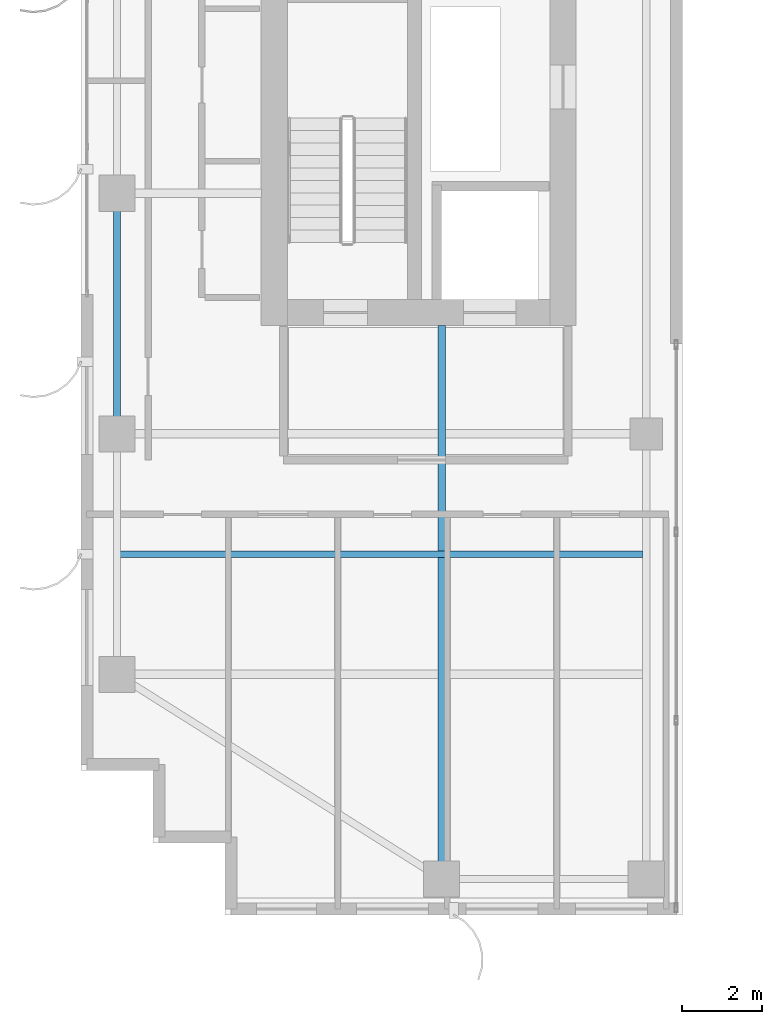
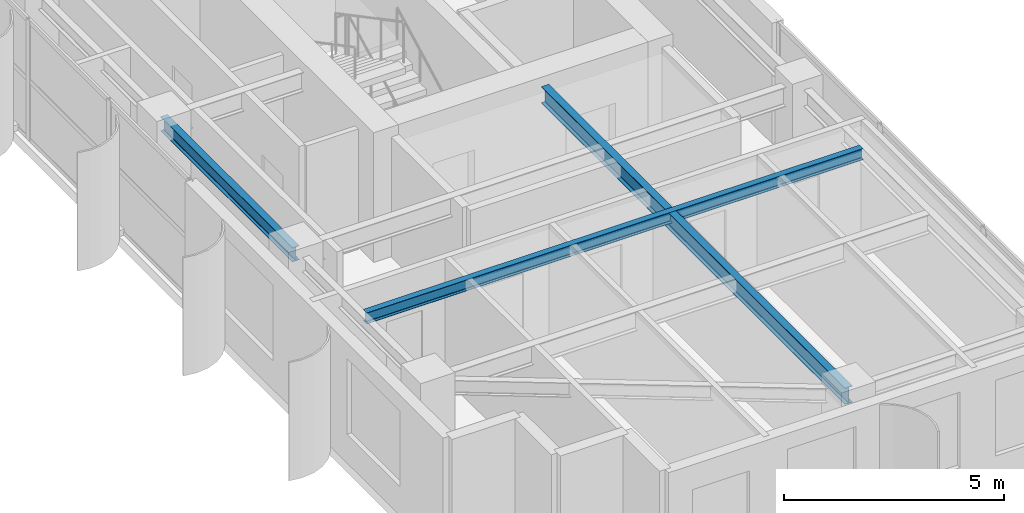
# One storey, part 3 of 22: 3 beams.
"""IFC4 building model written with IfcOpenShell, lengths in metres."""

from ifc_helpers import new_model, si_unit, direction, frame, origin, origin_2d, place, context, subcontext, project, spatial, i_section, extrude, source, transform, mapped, material, material_profile, profile_set, type_object, element, save


model = new_model("IFC4")

# Units and contexts
model_context = context("Model", 3, precision=1e-05, world=origin(), true_north=direction((0.0, 1.0)))
body_context = subcontext(model_context, "Body", "Model", "MODEL_VIEW")
ifc_project = project(units=[si_unit("LENGTHUNIT", "METRE"), si_unit("AREAUNIT", "SQUARE_METRE"), si_unit("VOLUMEUNIT", "CUBIC_METRE"), si_unit("PLANEANGLEUNIT", "RADIAN"), si_unit("MASSUNIT", "GRAM", prefix="KILO")], contexts=[model_context])

# Site, building, storey
site_placement = place(None, origin())
site = spatial("IfcSite", under=ifc_project, at=site_placement, CompositionType="ELEMENT")
building_placement = place(site_placement, origin())
building = spatial("IfcBuilding", under=site, at=building_placement, Name="Khoralis Quay Care Tower", CompositionType="ELEMENT")
storey_placement = place(building_placement, frame((0.0, 0.0, 188.10009765625)))
storey = spatial("IfcBuildingStorey", under=building, at=storey_placement, Name="L49", CompositionType="ELEMENT", Elevation=188.10009765625)

# Beams
ifc_material = material(Name="Steel S355", Category="steel")
ifc_material_profile_1 = material_profile(ifc_material, i_section(OverallWidth=0.179931640625, OverallDepth=0.39990234375, WebThickness=0.008544921875, FlangeThickness=0.013427734375, FilletRadius=0.02099609375, at=origin_2d()), Name="Steel S355")
ifc_profile_set_1 = profile_set([ifc_material_profile_1], Name="Steel S355")
beam_type_1 = type_object("IfcBeamType", Name="BM-IPE400", PredefinedType="SPANDREL", material=ifc_profile_set_1)
shared_shape_1 = source(origin(), body_context, "Body", "SweptSolid", [
    extrude(i_section(OverallWidth=0.179931640625, OverallDepth=0.39990234375, WebThickness=0.008544921875, FlangeThickness=0.013427734375, FilletRadius=0.02099609375, at=origin_2d()), origin(), (0.0, 0.0, 1.0), 6.0),
])
beam_1_placement = place(storey_placement, frame((3.89990234375, 12.0, 3.139892578125), z_axis=(0.0, 1.0, 0.0), x_axis=(-1.0, 0.0, 0.0)))
element("IfcBeam", 1, at=beam_1_placement, inside=storey, type_object=beam_type_1, Name="BM-TSP-L49-06", PredefinedType="SPANDREL", context=body_context, shape_type="MappedRepresentation", body=[
    mapped(shared_shape_1, transform((0.0, 0.0, 0.0), scale=1.0)),
])
ifc_material_profile_2 = material_profile(ifc_material, i_section(OverallWidth=0.19189453125, OverallDepth=0.462890625, WebThickness=0.010498046875, FlangeThickness=0.017578125, FilletRadius=0.014892578125, at=origin_2d()), Name="Steel S355")
ifc_profile_set_2 = profile_set([ifc_material_profile_2], Name="Steel S355")
beam_type_2 = type_object("IfcBeamType", Name="BM-W460X89", PredefinedType="BEAM", material=ifc_profile_set_2)
shared_shape_2 = source(origin(), body_context, "Body", "SweptSolid", [
    extrude(i_section(OverallWidth=0.19189453125, OverallDepth=0.462890625, WebThickness=0.010498046875, FlangeThickness=0.017578125, FilletRadius=0.014892578125, at=origin_2d()), origin(), (0.0, 0.0, 1.0), 13.802001953125),
])
beam_2_placement = place(storey_placement, frame((12.0, 0.89990234375, 3.1083984375), z_axis=(0.0, 1.0, 0.0), x_axis=(-1.0, 0.0, 0.0)))
element("IfcBeam", 2, at=beam_2_placement, inside=storey, type_object=beam_type_2, Name="BM-TGYS-L49-120", PredefinedType="BEAM", context=body_context, shape_type="MappedRepresentation", body=[
    mapped(shared_shape_2, transform((0.0, 0.0, 0.0), scale=1.0)),
])
ifc_material_profile_3 = material_profile(ifc_material, i_section(OverallWidth=0.1650390625, OverallDepth=0.31005859375, WebThickness=0.005859375, FlangeThickness=0.009765625, FilletRadius=0.011962890625, at=origin_2d()), Name="Steel S355")
ifc_profile_set_3 = profile_set([ifc_material_profile_3], Name="Steel S355")
beam_type_3 = type_object("IfcBeamType", Name="BM-W310X39", PredefinedType="JOIST", material=ifc_profile_set_3)
shared_shape_3 = source(origin(), body_context, "Body", "SweptSolid", [
    extrude(i_section(OverallWidth=0.1650390625, OverallDepth=0.31005859375, WebThickness=0.005859375, FlangeThickness=0.009765625, FilletRadius=0.011962890625, at=origin_2d()), origin(), (0.0, 0.0, 1.0), 13.0400390625),
])
beam_3_placement = place(storey_placement, frame((3.97607421875, 9.0, 3.184814453125), z_axis=(1.0, 0.0, 0.0), x_axis=(0.0, 1.0, 0.0)))
element("IfcBeam", 3, at=beam_3_placement, inside=storey, type_object=beam_type_3, Name="BM-TJS-L49-19", PredefinedType="JOIST", context=body_context, shape_type="MappedRepresentation", body=[
    mapped(shared_shape_3, transform((0.0, 0.0, 0.0), scale=1.0)),
])

save(model, "model.ifc")
